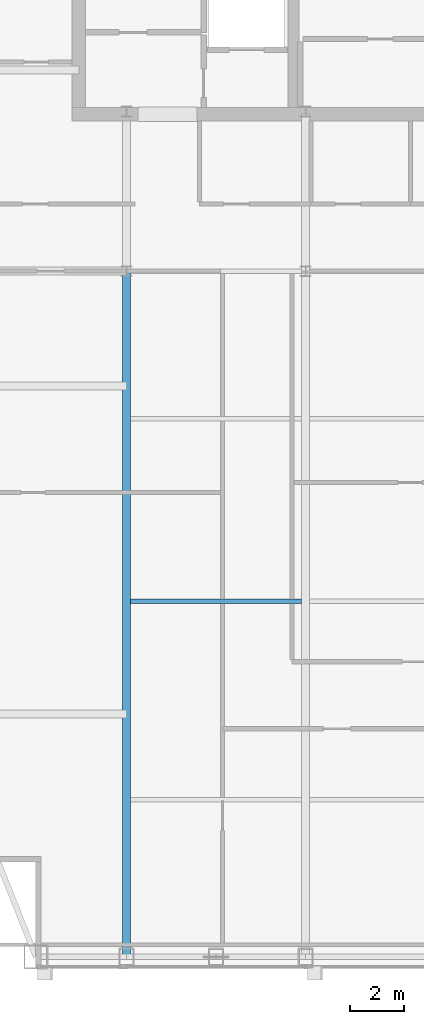
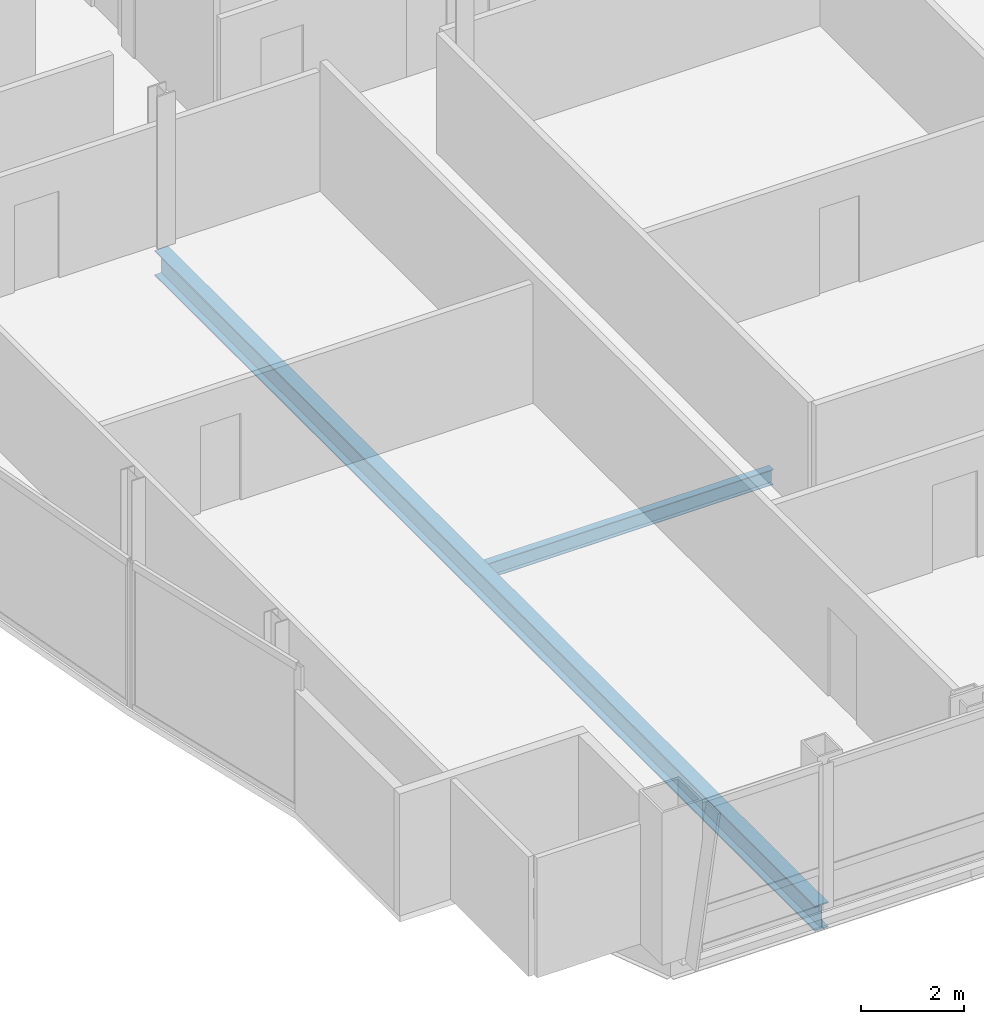
# One storey, part 6 of 29: 2 beams.
"""IFC4 building model written with IfcOpenShell, lengths in metres."""

from ifc_helpers import new_model, si_unit, direction, frame, origin, origin_2d, place, context, subcontext, project, spatial, i_section, extrude, material, material_profile, profile_set, type_object, element, save


model = new_model("IFC4")

# Units and contexts
model_context = context("Model", 3, precision=1e-05, world=origin(), true_north=direction((0.0, 1.0)))
body_context = subcontext(model_context, "Body", "Model", "MODEL_VIEW")
ifc_project = project(units=[si_unit("LENGTHUNIT", "METRE"), si_unit("AREAUNIT", "SQUARE_METRE"), si_unit("VOLUMEUNIT", "CUBIC_METRE"), si_unit("PLANEANGLEUNIT", "RADIAN"), si_unit("MASSUNIT", "GRAM", prefix="KILO")], contexts=[model_context])

# Site, building, storey
site_placement = place(None, origin())
site = spatial("IfcSite", under=ifc_project, at=site_placement, CompositionType="ELEMENT")
building_placement = place(site_placement, origin())
building = spatial("IfcBuilding", under=site, at=building_placement, Name="Khoronbel Lancet Exchange", CompositionType="ELEMENT")
storey_placement = place(building_placement, frame((0.0, 0.0, 321.800048828125)))
storey = spatial("IfcBuildingStorey", under=building, at=storey_placement, Name="L83", CompositionType="ELEMENT", Elevation=321.800048828125)

# Beams
ifc_material = material(Name="Steel S355", Category="steel")
ifc_material_profile_1 = material_profile(ifc_material, i_section(OverallWidth=0.300048828125, OverallDepth=0.60009765625, WebThickness=0.015380859375, FlangeThickness=0.030029296875, at=origin_2d()), Name="HEB 600")
ifc_profile_set_1 = profile_set([ifc_material_profile_1], Name="Steel S355")
beam_type_1 = type_object("IfcBeamType", Name="BM-BG5", PredefinedType="BEAM", material=ifc_profile_set_1)
beam_1_placement = place(storey_placement, frame((18.22509765625, 10.14990234375, -0.4599609375), z_axis=(0.0, 1.0, 0.0), x_axis=(-1.0, 0.0, 0.0)))
element("IfcBeam", 1, at=beam_1_placement, inside=storey, type_object=beam_type_1, Name="Level L83 south primary girder GS1", PredefinedType="BEAM", context=body_context, shape_type="SweptSolid", body=[
    extrude(i_section(OverallWidth=0.300048828125, OverallDepth=0.60009765625, WebThickness=0.015380859375, FlangeThickness=0.030029296875, at=origin_2d()), origin(), (0.0, 0.0, 1.0), 25.550048828125),
])
ifc_material_profile_2 = material_profile(ifc_material, i_section(OverallWidth=0.169921875, OverallDepth=0.360107421875, WebThickness=0.008056640625, FlangeThickness=0.0126953125, at=origin_2d()), Name="IPE 360")
ifc_profile_set_2 = profile_set([ifc_material_profile_2], Name="Steel S355")
beam_type_2 = type_object("IfcBeamType", Name="BM-BJ6", PredefinedType="JOIST", material=ifc_profile_set_2)
beam_2_placement = place(storey_placement, frame((18.375, 23.39990234375, -0.340087890625), z_axis=(1.0, 0.0, 0.0), x_axis=(0.0, 1.0, 0.0)))
element("IfcBeam", 2, at=beam_2_placement, inside=storey, type_object=beam_type_2, Name="Level L83 secondary composite joist J04", PredefinedType="JOIST", context=body_context, shape_type="SweptSolid", body=[
    extrude(i_section(OverallWidth=0.169921875, OverallDepth=0.360107421875, WebThickness=0.008056640625, FlangeThickness=0.0126953125, at=origin_2d()), origin(), (0.0, 0.0, 1.0), 6.375),
])

save(model, "model.ifc")
